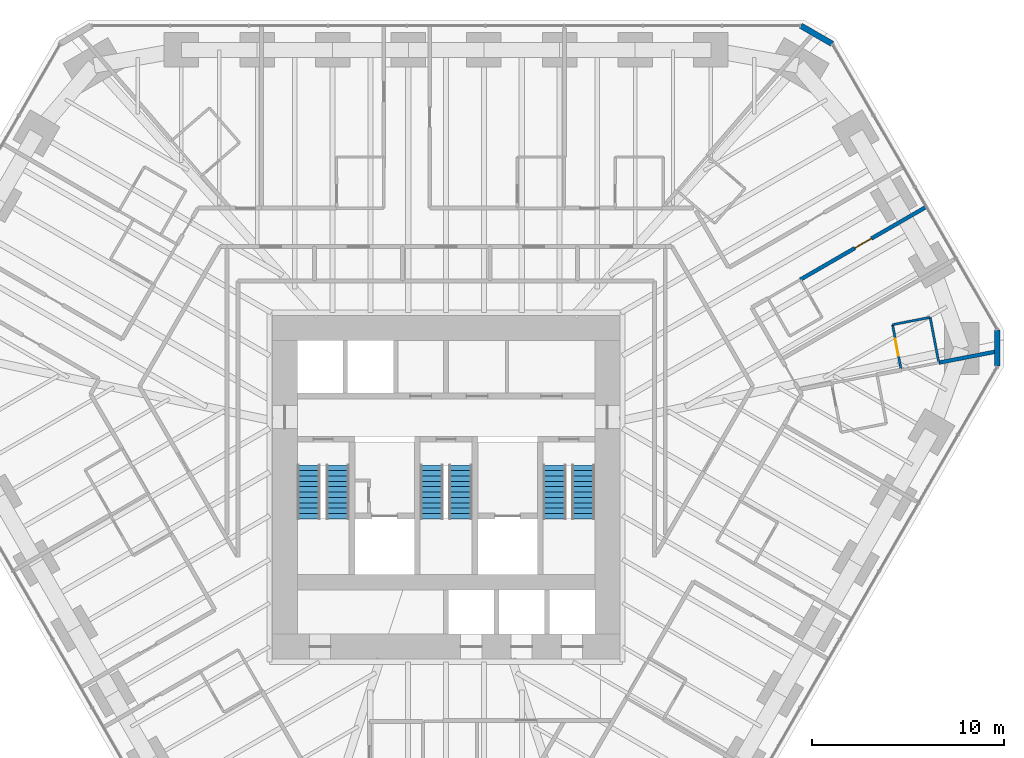
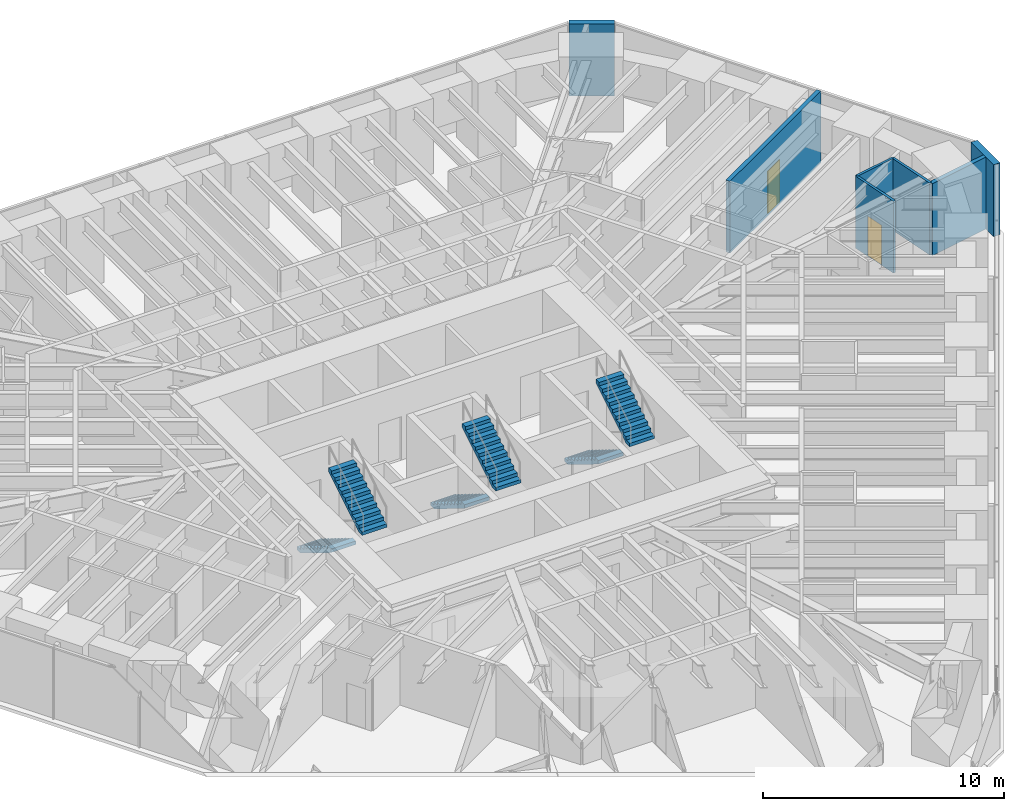
# One storey, part 16 of 17: 7 walls, 6 stair flights, 2 doors, 2 openings, 3 elements without a shape of their own.
"""IFC4 building model written with IfcOpenShell, lengths in metres."""

from ifc_helpers import new_model, si_unit, direction, frame, frame_2d, origin, place, context, subcontext, project, spatial, polyline, rectangle, outline, extrude, material, layer, layer_set, type_object, element, fill, aggregate, save


model = new_model("IFC4")

# Units and contexts
model_context = context("Model", 3, precision=1e-05, world=origin(), true_north=direction((0.0, 1.0)))
body_context = subcontext(model_context, "Body", "Model", "MODEL_VIEW")
ifc_project = project(units=[si_unit("LENGTHUNIT", "METRE"), si_unit("AREAUNIT", "SQUARE_METRE"), si_unit("VOLUMEUNIT", "CUBIC_METRE"), si_unit("PLANEANGLEUNIT", "RADIAN"), si_unit("MASSUNIT", "GRAM", prefix="KILO")], contexts=[model_context])

# Site, building, storey
site_placement = place(None, origin())
site = spatial("IfcSite", under=ifc_project, at=site_placement, CompositionType="ELEMENT")
building_placement = place(site_placement, origin())
building = spatial("IfcBuilding", under=site, at=building_placement, Name="Sandreach Pilgrim Tower", CompositionType="ELEMENT")
storey_placement = place(building_placement, frame((0.0, 0.0, 119.60009765625)))
storey = spatial("IfcBuildingStorey", under=building, at=storey_placement, Name="L29", CompositionType="ELEMENT", Elevation=119.60009765625)

# Wall, opening, door
ifc_material_1 = material(Name="Moisture-resistant gypsum board on steel studs", Category="steel")
ifc_layer_1 = layer(ifc_material_1, 0.1201171875)
ifc_layer_set_1 = layer_set([ifc_layer_1], Name="Bathroom partition 120")
wall_type_1 = type_object("IfcWallType", Name="Bathroom partition 120", PredefinedType="PARTITIONING", material=ifc_layer_set_1)
wall_1_placement = place(storey_placement, frame((23.260009765625, 6.919921875, 0.0), z_axis=(0.0, 0.0, 1.0), x_axis=(0.187294228499, -0.982303859288, 0.0)))
wall_1 = element("IfcWall", 1, at=wall_1_placement, inside=storey, type_object=wall_type_1, Name="Bathroom partition L29-169", PredefinedType="PARTITIONING", context=body_context, shape_type="SweptSolid", body=[
    extrude(rectangle(XDim=2.40234375, YDim=0.1201171875, at=frame_2d((1.201171875, 0.0))), origin(), (0.0, 0.0, 1.0), 3.639892578125),
])
opening_1_placement = place(wall_1_placement, frame((0.75, 0.0, 0.0)))
opening_1 = element("IfcOpeningElement", 2, at=opening_1_placement, cuts=wall_1, Name="Opening D09-07B", PredefinedType="OPENING", context=body_context, shape_type="SweptSolid", body=[
    extrude(rectangle(XDim=0.89990234375, YDim=2.030029296875, at=frame_2d((0.449951171875, 1.01513671875))), frame((0.0, 0.06005859375, 0.0), z_axis=(0.0, -1.0, 0.0), x_axis=(1.0, 0.0, 0.0)), (0.0, 0.0, 1.0), 0.1201171875),
])
ifc_material_2 = material(Name="Timber door, steel frame", Category="steel")
door_type_1 = type_object("IfcDoorType", Name="Bathroom door", OperationType="SINGLE_SWING_LEFT", PredefinedType="DOOR", material=ifc_material_2)
door_1_placement = place(opening_1_placement, origin())
door_1 = element("IfcDoor", 3, at=door_1_placement, inside=storey, type_object=door_type_1, Name="Door 2907B", OperationType="SINGLE_SWING_LEFT", OverallHeight=2.030029296875, OverallWidth=0.89990234375, PredefinedType="DOOR", context=body_context, shape_type="SweptSolid", body=[
    extrude(rectangle(XDim=0.89990234375, YDim=2.030029296875, at=frame_2d((0.449951171875, 1.01513671875))), frame((0.0, 0.02490234375, 0.0), z_axis=(0.0, -1.0, 0.0), x_axis=(1.0, 0.0, 0.0)), (0.0, 0.0, 1.0), 0.050048828125),
])
fill(opening_1, door_1)

# Walls
wall_2_placement = place(storey_placement, frame((25.219970703125, 7.300048828125, 0.0), z_axis=(0.0, 0.0, 1.0), x_axis=(-0.981706922352, -0.190398315658, 0.0)))
element("IfcWall", 4, at=wall_2_placement, inside=storey, type_object=wall_type_1, Name="Bathroom partition L29-173", PredefinedType="PARTITIONING", context=body_context, shape_type="SweptSolid", body=[
    extrude(rectangle(XDim=1.99658203125, YDim=0.1201171875, at=frame_2d((0.998291015625, 0.0))), origin(), (0.0, 0.0, 1.0), 3.639892578125),
])
wall_3_placement = place(storey_placement, frame((25.669921875, 4.93994140625, 0.0), z_axis=(0.0, 0.0, 1.0), x_axis=(-0.187275533444, 0.982307423658, 0.0)))
element("IfcWall", 5, at=wall_3_placement, inside=storey, type_object=wall_type_1, Name="Bathroom partition L29-174", PredefinedType="PARTITIONING", context=body_context, shape_type="SweptSolid", body=[
    extrude(rectangle(XDim=2.402587890625, YDim=0.1201171875, at=frame_2d((1.201171875, 0.0))), origin(), (0.0, 0.0, 1.0), 3.639892578125),
])

# Wall, opening, door
ifc_material_3 = material(Name="Gypsum board on steel studs, two layers each side", Category="steel")
ifc_layer_2 = layer(ifc_material_3, 0.199951171875)
ifc_layer_set_2 = layer_set([ifc_layer_2], Name="Corridor wall 200")
wall_type_2 = type_object("IfcWallType", Name="Corridor wall 200", PredefinedType="PARTITIONING", material=ifc_layer_set_2)
wall_4_placement = place(storey_placement, frame((18.4599609375, 9.27001953125, 0.0), z_axis=(0.0, 0.0, 1.0), x_axis=(0.865880021885, 0.500251724335, 0.0)))
wall_4 = element("IfcWall", 6, at=wall_4_placement, inside=storey, type_object=wall_type_2, Name="Corridor wall L29-162", PredefinedType="PARTITIONING", context=body_context, shape_type="SweptSolid", body=[
    extrude(rectangle(XDim=7.5458984375, YDim=0.199951171875, at=frame_2d((3.77294921875, 0.0))), origin(), (0.0, 0.0, 1.0), 3.639892578125),
])
opening_2_placement = place(wall_4_placement, frame((3.27294921875, 0.0, 0.0)))
opening_2 = element("IfcOpeningElement", 7, at=opening_2_placement, cuts=wall_4, Name="Opening D10-06", PredefinedType="OPENING", context=body_context, shape_type="SweptSolid", body=[
    extrude(rectangle(XDim=1.0, YDim=2.1298828125, at=frame_2d((0.5, 1.06494140625))), frame((0.0, 0.10009765625, 0.0), z_axis=(0.0, -1.0, 0.0), x_axis=(1.0, 0.0, 0.0)), (0.0, 0.0, 1.0), 0.199951171875),
])
ifc_material_4 = material(Name="Steel door and frame", Category="steel")
door_type_2 = type_object("IfcDoorType", Name="Guest room entry door", OperationType="SINGLE_SWING_LEFT", PredefinedType="DOOR", material=ifc_material_4)
door_2_placement = place(opening_2_placement, origin())
door_2 = element("IfcDoor", 8, at=door_2_placement, inside=storey, type_object=door_type_2, Name="Door 2906", OperationType="SINGLE_SWING_LEFT", OverallHeight=2.1298828125, OverallWidth=1.0, PredefinedType="DOOR", context=body_context, shape_type="SweptSolid", body=[
    extrude(rectangle(XDim=1.0, YDim=2.1298828125, at=frame_2d((0.5, 1.06494140625))), frame((0.0, 0.02490234375, 0.0), z_axis=(0.0, -1.0, 0.0), x_axis=(1.0, 0.0, 0.0)), (0.0, 0.0, 1.0), 0.050048828125),
])
fill(opening_2, door_2)

# Walls
ifc_material_5 = material(Name="Double steel stud acoustic wall, gypsum board", Category="steel")
ifc_layer_3 = layer(ifc_material_5, 0.199951171875)
ifc_layer_set_3 = layer_set([ifc_layer_3], Name="Party wall 200")
wall_type_3 = type_object("IfcWallType", Name="Party wall 200", PredefinedType="PARTITIONING", material=ifc_layer_set_3)
wall_5_placement = place(storey_placement, frame((25.669921875, 4.93994140625, 0.0), z_axis=(0.0, 0.0, 1.0), x_axis=(0.981783608641, 0.190002488943, 0.0)))
element("IfcWall", 9, at=wall_5_placement, inside=storey, type_object=wall_type_3, Name="Party wall L29-175", PredefinedType="PARTITIONING", context=body_context, shape_type="SweptSolid", body=[
    extrude(rectangle(XDim=3.12744140625, YDim=0.199951171875, at=frame_2d((1.563720703125, 0.0))), origin(), (0.0, 0.0, 1.0), 3.639892578125),
])
ifc_material_6 = material(Name="Terracotta rainscreen on concrete", Category="masonry")
ifc_layer_4 = layer(ifc_material_6, 0.300048828125)
ifc_layer_set_4 = layer_set([ifc_layer_4], Name="Terracotta chamfer pier")
wall_type_4 = type_object("IfcWallType", Name="Terracotta chamfer pier", PredefinedType="SOLIDWALL", material=ifc_layer_set_4)
wall_6_placement = place(storey_placement, frame((18.4814453125, 22.493896484375, 0.0), z_axis=(0.0, 0.0, 1.0), x_axis=(0.865988793993, -0.500063404658, 0.0)))
element("IfcWall", 10, at=wall_6_placement, inside=storey, type_object=wall_type_4, Name="Chamfer pier L29 N", PredefinedType="SOLIDWALL", context=body_context, shape_type="SweptSolid", body=[
    extrude(rectangle(XDim=1.880126953125, YDim=0.300048828125, at=frame_2d((0.93994140625, 0.0))), origin(), (0.0, 0.0, 1.0), 3.639892578125),
])
wall_7_placement = place(storey_placement, frame((28.720947265625, 6.638427734375, 0.0), z_axis=(0.0, 0.0, 1.0), x_axis=(0.0, -1.0, 0.0)))
element("IfcWall", 11, at=wall_7_placement, inside=storey, type_object=wall_type_4, Name="Chamfer pier L29 NE", PredefinedType="SOLIDWALL", context=body_context, shape_type="SweptSolid", body=[
    extrude(rectangle(XDim=1.8798828125, YDim=0.300048828125, at=frame_2d((0.93994140625, 0.0))), origin(), (0.0, 0.0, 1.0), 3.639892578125),
])

# Stair, stair flights
ifc_material_7 = material(Name="Concrete 8000 psi", Category="concrete")
stair_type = type_object("IfcStairType", Name="Core exit stair", PredefinedType="HALF_TURN_STAIR", material=ifc_material_7)
stair_1_placement = place(storey_placement, origin())
stair_1 = element("IfcStair", 12, at=stair_1_placement, inside=storey, type_object=stair_type, Name="Exit stair ST1 L29", PredefinedType="HALF_TURN_STAIR")
ifc_material_8 = material(Name="Concrete 8000 psi", Category="concrete")
stair_flight_type = type_object("IfcStairFlightType", Name="Core stair flight 1200", PredefinedType="STRAIGHT", material=ifc_material_8)
stair_flight_1_placement = place(storey_placement, frame((-7.14990234375, -0.39990234375, 0.0), z_axis=(0.0, 0.0, 1.0), x_axis=(0.0, -1.0, 0.0)))
stair_flight_1 = element("IfcStairFlight", 13, at=stair_flight_1_placement, type_object=stair_flight_type, Name="ST1 flight 1", NumberOfRisers=11, NumberOfTreads=10, PredefinedType="STRAIGHT", RiserHeight=0.172727273, TreadLength=0.28, context=body_context, shape_type="SweptSolid", body=[
    extrude(outline(polyline([(0.0, 0.0), (0.0, 0.172607421875), (0.280029296875, 0.172607421875), (0.280029296875, 0.345458984375), (0.56005859375, 0.345458984375), (0.56005859375, 0.51806640625), (0.840087890625, 0.51806640625), (0.840087890625, 0.69091796875), (1.1201171875, 0.69091796875), (1.1201171875, 0.863525390625), (1.39990234375, 0.863525390625), (1.39990234375, 1.036376953125), (1.679931640625, 1.036376953125), (1.679931640625, 1.208984375), (1.9599609375, 1.208984375), (1.9599609375, 1.3818359375), (2.239990234375, 1.3818359375), (2.239990234375, 1.554443359375), (2.52001953125, 1.554443359375), (2.52001953125, 1.727294921875), (2.800048828125, 1.727294921875), (2.800048828125, 1.89990234375), (2.800048828125, 1.551025390625), (0.285400390625, 0.0), (0.0, 0.0)])), frame((0.0, 0.60009765625, 0.0), z_axis=(0.0, -1.0, 0.0), x_axis=(1.0, 0.0, 0.0)), (0.0, 0.0, 1.0), 1.199951171875),
])
stair_flight_2_placement = place(storey_placement, frame((-5.64990234375, -3.199951171875, 1.89990234375), z_axis=(0.0, 0.0, 1.0), x_axis=(0.0, 1.0, 0.0)))
stair_flight_2 = element("IfcStairFlight", 14, at=stair_flight_2_placement, type_object=stair_flight_type, Name="ST1 flight 2", NumberOfRisers=11, NumberOfTreads=10, PredefinedType="STRAIGHT", RiserHeight=0.172727273, TreadLength=0.28, context=body_context, shape_type="SweptSolid", body=[
    extrude(outline(polyline([(0.0, 0.0), (0.0, 0.172607421875), (0.280029296875, 0.172607421875), (0.280029296875, 0.345458984375), (0.56005859375, 0.345458984375), (0.56005859375, 0.51806640625), (0.840087890625, 0.51806640625), (0.840087890625, 0.69091796875), (1.1201171875, 0.69091796875), (1.1201171875, 0.863525390625), (1.39990234375, 0.863525390625), (1.39990234375, 1.036376953125), (1.679931640625, 1.036376953125), (1.679931640625, 1.208984375), (1.9599609375, 1.208984375), (1.9599609375, 1.3818359375), (2.239990234375, 1.3818359375), (2.239990234375, 1.554443359375), (2.52001953125, 1.554443359375), (2.52001953125, 1.727294921875), (2.800048828125, 1.727294921875), (2.800048828125, 1.89990234375), (2.800048828125, 1.551025390625), (0.285400390625, 0.0), (0.0, 0.0)])), frame((0.0, 0.60009765625, 0.0), z_axis=(0.0, -1.0, 0.0), x_axis=(1.0, 0.0, 0.0)), (0.0, 0.0, 1.0), 1.199951171875),
])
aggregate(stair_1, [stair_flight_1, stair_flight_2])

stair_2_placement = place(storey_placement, origin())
stair_2 = element("IfcStair", 15, at=stair_2_placement, inside=storey, type_object=stair_type, Name="Exit stair ST3 L29", PredefinedType="HALF_TURN_STAIR")
stair_flight_3_placement = place(storey_placement, frame((-0.75, -0.39990234375, 0.0), z_axis=(0.0, 0.0, 1.0), x_axis=(0.0, -1.0, 0.0)))
stair_flight_3 = element("IfcStairFlight", 16, at=stair_flight_3_placement, type_object=stair_flight_type, Name="ST3 flight 1", NumberOfRisers=11, NumberOfTreads=10, PredefinedType="STRAIGHT", RiserHeight=0.172727273, TreadLength=0.28, context=body_context, shape_type="SweptSolid", body=[
    extrude(outline(polyline([(0.0, 0.0), (0.0, 0.172607421875), (0.280029296875, 0.172607421875), (0.280029296875, 0.345458984375), (0.56005859375, 0.345458984375), (0.56005859375, 0.51806640625), (0.840087890625, 0.51806640625), (0.840087890625, 0.69091796875), (1.1201171875, 0.69091796875), (1.1201171875, 0.863525390625), (1.39990234375, 0.863525390625), (1.39990234375, 1.036376953125), (1.679931640625, 1.036376953125), (1.679931640625, 1.208984375), (1.9599609375, 1.208984375), (1.9599609375, 1.3818359375), (2.239990234375, 1.3818359375), (2.239990234375, 1.554443359375), (2.52001953125, 1.554443359375), (2.52001953125, 1.727294921875), (2.800048828125, 1.727294921875), (2.800048828125, 1.89990234375), (2.800048828125, 1.551025390625), (0.285400390625, 0.0), (0.0, 0.0)])), frame((0.0, 0.60009765625, 0.0), z_axis=(0.0, -1.0, 0.0), x_axis=(1.0, 0.0, 0.0)), (0.0, 0.0, 1.0), 1.199951171875),
])
stair_flight_4_placement = place(storey_placement, frame((0.75, -3.199951171875, 1.89990234375), z_axis=(0.0, 0.0, 1.0), x_axis=(0.0, 1.0, 0.0)))
stair_flight_4 = element("IfcStairFlight", 17, at=stair_flight_4_placement, type_object=stair_flight_type, Name="ST3 flight 2", NumberOfRisers=11, NumberOfTreads=10, PredefinedType="STRAIGHT", RiserHeight=0.172727273, TreadLength=0.28, context=body_context, shape_type="SweptSolid", body=[
    extrude(outline(polyline([(0.0, 0.0), (0.0, 0.172607421875), (0.280029296875, 0.172607421875), (0.280029296875, 0.345458984375), (0.56005859375, 0.345458984375), (0.56005859375, 0.51806640625), (0.840087890625, 0.51806640625), (0.840087890625, 0.69091796875), (1.1201171875, 0.69091796875), (1.1201171875, 0.863525390625), (1.39990234375, 0.863525390625), (1.39990234375, 1.036376953125), (1.679931640625, 1.036376953125), (1.679931640625, 1.208984375), (1.9599609375, 1.208984375), (1.9599609375, 1.3818359375), (2.239990234375, 1.3818359375), (2.239990234375, 1.554443359375), (2.52001953125, 1.554443359375), (2.52001953125, 1.727294921875), (2.800048828125, 1.727294921875), (2.800048828125, 1.89990234375), (2.800048828125, 1.551025390625), (0.285400390625, 0.0), (0.0, 0.0)])), frame((0.0, 0.60009765625, 0.0), z_axis=(0.0, -1.0, 0.0), x_axis=(1.0, 0.0, 0.0)), (0.0, 0.0, 1.0), 1.199951171875),
])
aggregate(stair_2, [stair_flight_3, stair_flight_4])

stair_3_placement = place(storey_placement, origin())
stair_3 = element("IfcStair", 18, at=stair_3_placement, inside=storey, type_object=stair_type, Name="Exit stair ST2 L29", PredefinedType="HALF_TURN_STAIR")
stair_flight_5_placement = place(storey_placement, frame((5.64990234375, -0.39990234375, 0.0), z_axis=(0.0, 0.0, 1.0), x_axis=(0.0, -1.0, 0.0)))
stair_flight_5 = element("IfcStairFlight", 19, at=stair_flight_5_placement, type_object=stair_flight_type, Name="ST2 flight 1", NumberOfRisers=11, NumberOfTreads=10, PredefinedType="STRAIGHT", RiserHeight=0.172727273, TreadLength=0.28, context=body_context, shape_type="SweptSolid", body=[
    extrude(outline(polyline([(0.0, 0.0), (0.0, 0.172607421875), (0.280029296875, 0.172607421875), (0.280029296875, 0.345458984375), (0.56005859375, 0.345458984375), (0.56005859375, 0.51806640625), (0.840087890625, 0.51806640625), (0.840087890625, 0.69091796875), (1.1201171875, 0.69091796875), (1.1201171875, 0.863525390625), (1.39990234375, 0.863525390625), (1.39990234375, 1.036376953125), (1.679931640625, 1.036376953125), (1.679931640625, 1.208984375), (1.9599609375, 1.208984375), (1.9599609375, 1.3818359375), (2.239990234375, 1.3818359375), (2.239990234375, 1.554443359375), (2.52001953125, 1.554443359375), (2.52001953125, 1.727294921875), (2.800048828125, 1.727294921875), (2.800048828125, 1.89990234375), (2.800048828125, 1.551025390625), (0.285400390625, 0.0), (0.0, 0.0)])), frame((0.0, 0.60009765625, 0.0), z_axis=(0.0, -1.0, 0.0), x_axis=(1.0, 0.0, 0.0)), (0.0, 0.0, 1.0), 1.199951171875),
])
stair_flight_6_placement = place(storey_placement, frame((7.14990234375, -3.199951171875, 1.89990234375), z_axis=(0.0, 0.0, 1.0), x_axis=(0.0, 1.0, 0.0)))
stair_flight_6 = element("IfcStairFlight", 20, at=stair_flight_6_placement, type_object=stair_flight_type, Name="ST2 flight 2", NumberOfRisers=11, NumberOfTreads=10, PredefinedType="STRAIGHT", RiserHeight=0.172727273, TreadLength=0.28, context=body_context, shape_type="SweptSolid", body=[
    extrude(outline(polyline([(0.0, 0.0), (0.0, 0.172607421875), (0.280029296875, 0.172607421875), (0.280029296875, 0.345458984375), (0.56005859375, 0.345458984375), (0.56005859375, 0.51806640625), (0.840087890625, 0.51806640625), (0.840087890625, 0.69091796875), (1.1201171875, 0.69091796875), (1.1201171875, 0.863525390625), (1.39990234375, 0.863525390625), (1.39990234375, 1.036376953125), (1.679931640625, 1.036376953125), (1.679931640625, 1.208984375), (1.9599609375, 1.208984375), (1.9599609375, 1.3818359375), (2.239990234375, 1.3818359375), (2.239990234375, 1.554443359375), (2.52001953125, 1.554443359375), (2.52001953125, 1.727294921875), (2.800048828125, 1.727294921875), (2.800048828125, 1.89990234375), (2.800048828125, 1.551025390625), (0.285400390625, 0.0), (0.0, 0.0)])), frame((0.0, 0.60009765625, 0.0), z_axis=(0.0, -1.0, 0.0), x_axis=(1.0, 0.0, 0.0)), (0.0, 0.0, 1.0), 1.199951171875),
])
aggregate(stair_3, [stair_flight_5, stair_flight_6])

save(model, "model.ifc")
